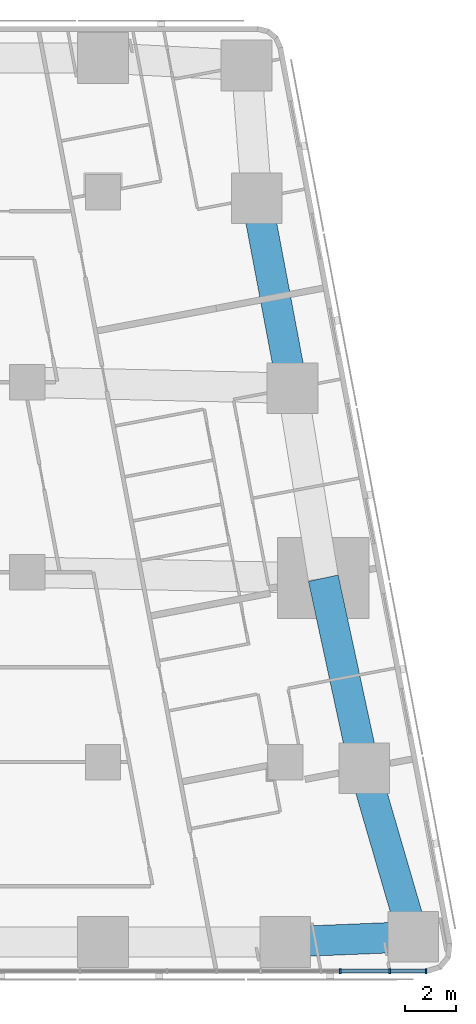
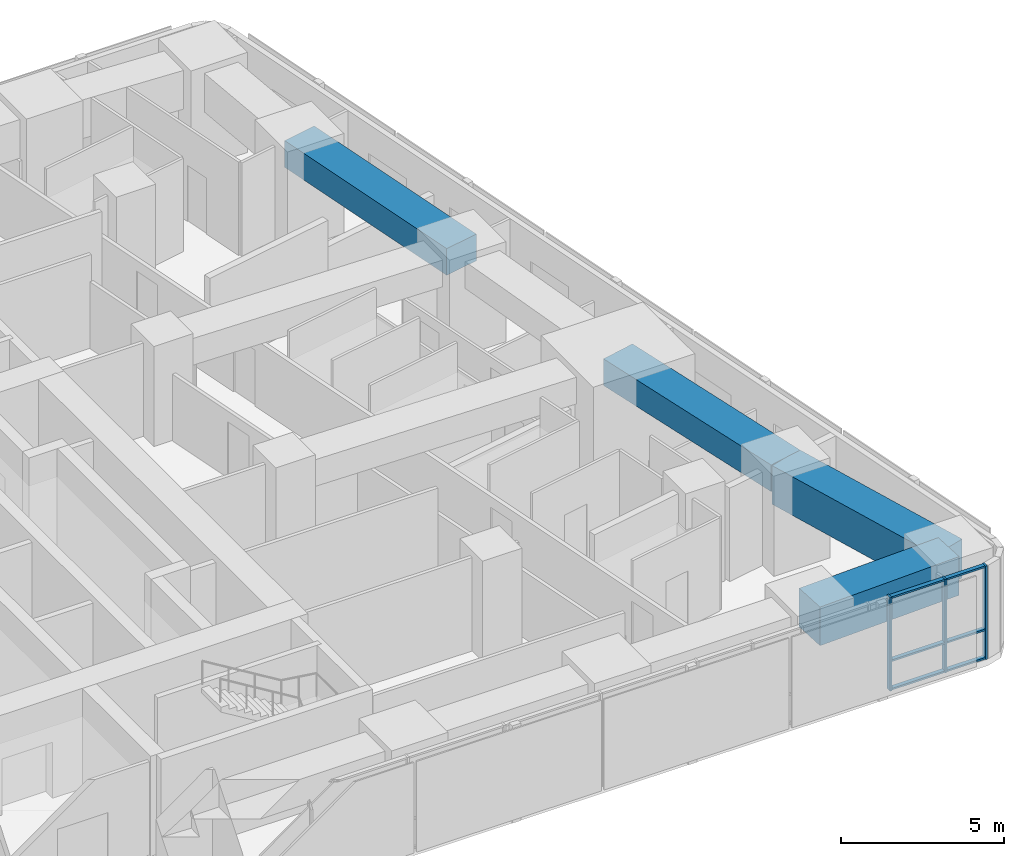
# One storey, part 3 of 11: 9 members, 4 beams, 1 element without a shape of its own.
"""IFC4 building model written with IfcOpenShell, lengths in metres."""

from ifc_helpers import new_model, si_unit, direction, frame, origin, origin_2d, place, context, subcontext, project, spatial, rectangle, extrude, material, material_profile, profile_set, type_object, element, aggregate, save


model = new_model("IFC4")

# Units and contexts
model_context = context("Model", 3, precision=1e-05, world=origin(), true_north=direction((0.0, 1.0)))
body_context = subcontext(model_context, "Body", "Model", "MODEL_VIEW")
ifc_project = project(units=[si_unit("LENGTHUNIT", "METRE"), si_unit("AREAUNIT", "SQUARE_METRE"), si_unit("VOLUMEUNIT", "CUBIC_METRE"), si_unit("PLANEANGLEUNIT", "RADIAN"), si_unit("MASSUNIT", "GRAM", prefix="KILO")], contexts=[model_context])

# Site, building, storey
site_placement = place(None, origin())
site = spatial("IfcSite", under=ifc_project, at=site_placement, CompositionType="ELEMENT")
building_placement = place(site_placement, origin())
building = spatial("IfcBuilding", under=site, at=building_placement, Name="Sheger Commons Tower", CompositionType="ELEMENT")
storey_placement = place(building_placement, frame((0.0, 0.0, 255.35009765625)))
storey = spatial("IfcBuildingStorey", under=building, at=storey_placement, Name="L65", CompositionType="ELEMENT", Elevation=255.35009765625)

# Curtain wall, members
ifc_material_1 = material(Name="Black aluminium curtain wall, dark tinted glazing", Category="aluminium")
curtain_wall_type = type_object("IfcCurtainWallType", Name="CURTAIN WALL CW5 SOUTH GALLERY", PredefinedType="USERDEFINED", material=ifc_material_1)
curtain_wall_placement = place(storey_placement, origin())
curtain_wall = element("IfcCurtainWall", 1, at=curtain_wall_placement, inside=storey, type_object=curtain_wall_type, Name="Curtain Wall Cw5 South Gallery S1 L65", ObjectType="UNITISED CURTAIN WALL", PredefinedType="USERDEFINED")
ifc_material_2 = material(Name="Black anodised aluminium", Category="aluminium")
ifc_material_profile_1 = material_profile(ifc_material_2, rectangle(XDim=0.199951171875, YDim=0.06494140625, at=origin_2d()), Name="AL 65x200")
ifc_profile_set_1 = profile_set([ifc_material_profile_1], Name="Black anodised aluminium")
member_type_1 = type_object("IfcMemberType", Name="MULLION AL 65x200", PredefinedType="MULLION", material=ifc_profile_set_1)
member_1_placement = place(storey_placement, frame((45.364990234375, 6.75, 0.0), z_axis=(0.0, 0.0, 1.0), x_axis=(0.0, 1.0, 0.0)))
member_1 = element("IfcMember", 2, at=member_1_placement, type_object=member_type_1, Name="CW5 mullion 12", PredefinedType="MULLION", context=body_context, shape_type="SweptSolid", body=[
    extrude(rectangle(XDim=0.199951171875, YDim=0.06494140625, at=origin_2d()), origin(), (0.0, 0.0, 1.0), 3.5),
])
member_2_placement = place(storey_placement, frame((47.319091796875, 6.75, 0.0), z_axis=(0.0, 0.0, 1.0), x_axis=(0.0, 1.0, 0.0)))
member_2 = element("IfcMember", 3, at=member_2_placement, type_object=member_type_1, Name="CW5 mullion 13", PredefinedType="MULLION", context=body_context, shape_type="SweptSolid", body=[
    extrude(rectangle(XDim=0.199951171875, YDim=0.06494140625, at=origin_2d()), origin(), (0.0, 0.0, 1.0), 3.5),
])
member_3_placement = place(storey_placement, frame((48.75439453125, 6.75, 0.0), z_axis=(0.0, 0.0, 1.0), x_axis=(0.0, 1.0, 0.0)))
member_3 = element("IfcMember", 4, at=member_3_placement, type_object=member_type_1, Name="CW5 mullion 14", PredefinedType="MULLION", context=body_context, shape_type="SweptSolid", body=[
    extrude(rectangle(XDim=0.199951171875, YDim=0.06494140625, at=origin_2d()), origin(), (0.0, 0.0, 1.0), 3.5),
])

# Beams
ifc_material_3 = material(Name="Concrete C50/60", Category="concrete")
ifc_material_profile_2 = material_profile(ifc_material_3, rectangle(XDim=1.199951171875, YDim=1.0, at=origin_2d()), Name="RC 1200x1000")
ifc_profile_set_2 = profile_set([ifc_material_profile_2], Name="Concrete C50/60")
beam_type_1 = type_object("IfcBeamType", Name="SPANDREL RC 1200x1000", PredefinedType="SPANDREL", material=ifc_profile_set_2)
beam_1_placement = place(storey_placement, frame((46.31396484375, 14.762939453125, 3.0), z_axis=(-0.210750229323, 0.977539943348, 0.0), x_axis=(-0.977539943348, -0.210750229323, 0.0)))
element("IfcBeam", 5, at=beam_1_placement, inside=storey, type_object=beam_type_1, Name="Beam E/C-E/D under L66", PredefinedType="SPANDREL", context=body_context, shape_type="SweptSolid", body=[
    extrude(rectangle(XDim=1.199951171875, YDim=1.0, at=origin_2d()), origin(), (0.0, 0.0, 1.0), 7.67236328125),
])
beam_2_placement = place(storey_placement, frame((43.47998046875, 29.762939453125, 3.0), z_axis=(-0.18552441405, 0.982639655108, 0.0), x_axis=(-0.982639655108, -0.18552441405, 0.0)))
element("IfcBeam", 6, at=beam_2_placement, inside=storey, type_object=beam_type_1, Name="Beam E/E-E/F under L66", PredefinedType="SPANDREL", context=body_context, shape_type="SweptSolid", body=[
    extrude(rectangle(XDim=1.199951171875, YDim=1.0, at=origin_2d()), origin(), (0.0, 0.0, 1.0), 7.632568359375),
])
ifc_material_4 = material(Name="Concrete C50/60", Category="concrete")
ifc_material_profile_3 = material_profile(ifc_material_4, rectangle(XDim=1.199951171875, YDim=1.449951171875, at=origin_2d()), Name="RC 1200x1450")
ifc_profile_set_3 = profile_set([ifc_material_profile_3], Name="Concrete C50/60")
beam_type_2 = type_object("IfcBeamType", Name="SPANDREL RC 1200x1450", PredefinedType="SPANDREL", material=ifc_profile_set_3)
beam_3_placement = place(storey_placement, frame((43.199951171875, 7.89990234375, 2.77490234375), z_axis=(0.999161374218, 0.040945674641, 0.0), x_axis=(-0.040945674641, 0.999161374218, 0.0)))
element("IfcBeam", 7, at=beam_3_placement, inside=storey, type_object=beam_type_2, Name="Beam 7/B-E/B under L66", PredefinedType="SPANDREL", context=body_context, shape_type="SweptSolid", body=[
    extrude(rectangle(XDim=1.199951171875, YDim=1.449951171875, at=origin_2d()), origin(), (0.0, 0.0, 1.0), 5.05615234375),
])
beam_4_placement = place(storey_placement, frame((48.251953125, 8.10693359375, 2.77490234375), z_axis=(-0.279555048455, 0.960129665662, 0.0), x_axis=(-0.960129665662, -0.279555048455, 0.0)))
element("IfcBeam", 8, at=beam_4_placement, inside=storey, type_object=beam_type_2, Name="Beam E/B-E/C under L66", PredefinedType="SPANDREL", context=body_context, shape_type="SweptSolid", body=[
    extrude(rectangle(XDim=1.199951171875, YDim=1.449951171875, at=origin_2d()), origin(), (0.0, 0.0, 1.0), 6.932373046875),
])

# Member
ifc_material_5 = material(Name="Black anodised aluminium", Category="aluminium")
ifc_material_profile_4 = material_profile(ifc_material_5, rectangle(XDim=0.14990234375, YDim=0.06494140625, at=origin_2d()), Name="AL 65x150")
ifc_profile_set_4 = profile_set([ifc_material_profile_4], Name="Black anodised aluminium")
member_type_2 = type_object("IfcMemberType", Name="TRANSOM AL 65x150", PredefinedType="USERDEFINED", material=ifc_profile_set_4)
member_4_placement = place(storey_placement, frame((45.3974609375, 6.75, 0.032470703125), z_axis=(1.0, 0.0, 0.0), x_axis=(0.0, 1.0, 0.0)))
member_4 = element("IfcMember", 9, at=member_4_placement, type_object=member_type_2, Name="CW5 transom 12.1", ObjectType="TRANSOM", PredefinedType="USERDEFINED", context=body_context, shape_type="SweptSolid", body=[
    extrude(rectangle(XDim=0.14990234375, YDim=0.06494140625, at=origin_2d()), origin(), (0.0, 0.0, 1.0), 1.88916015625),
])

member_5_placement = place(storey_placement, frame((45.3974609375, 6.75, 1.099853515625), z_axis=(1.0, 0.0, 0.0), x_axis=(0.0, 1.0, 0.0)))
member_5 = element("IfcMember", 10, at=member_5_placement, type_object=member_type_2, Name="CW5 transom 12.2", ObjectType="TRANSOM", PredefinedType="USERDEFINED", context=body_context, shape_type="SweptSolid", body=[
    extrude(rectangle(XDim=0.14990234375, YDim=0.06494140625, at=origin_2d()), origin(), (0.0, 0.0, 1.0), 1.88916015625),
])

member_6_placement = place(storey_placement, frame((45.3974609375, 6.75, 3.46728515625), z_axis=(1.0, 0.0, 0.0), x_axis=(0.0, 1.0, 0.0)))
member_6 = element("IfcMember", 11, at=member_6_placement, type_object=member_type_2, Name="CW5 transom 12.3", ObjectType="TRANSOM", PredefinedType="USERDEFINED", context=body_context, shape_type="SweptSolid", body=[
    extrude(rectangle(XDim=0.14990234375, YDim=0.06494140625, at=origin_2d()), origin(), (0.0, 0.0, 1.0), 1.88916015625),
])

member_7_placement = place(storey_placement, frame((47.3515625, 6.75, 0.032470703125), z_axis=(1.0, 0.0, 0.0), x_axis=(0.0, 1.0, 0.0)))
member_7 = element("IfcMember", 12, at=member_7_placement, type_object=member_type_2, Name="CW5 transom 13.1", ObjectType="TRANSOM", PredefinedType="USERDEFINED", context=body_context, shape_type="SweptSolid", body=[
    extrude(rectangle(XDim=0.14990234375, YDim=0.06494140625, at=origin_2d()), origin(), (0.0, 0.0, 1.0), 1.370361328125),
])

member_8_placement = place(storey_placement, frame((47.3515625, 6.75, 1.099853515625), z_axis=(1.0, 0.0, 0.0), x_axis=(0.0, 1.0, 0.0)))
member_8 = element("IfcMember", 13, at=member_8_placement, type_object=member_type_2, Name="CW5 transom 13.2", ObjectType="TRANSOM", PredefinedType="USERDEFINED", context=body_context, shape_type="SweptSolid", body=[
    extrude(rectangle(XDim=0.14990234375, YDim=0.06494140625, at=origin_2d()), origin(), (0.0, 0.0, 1.0), 1.370361328125),
])

member_9_placement = place(storey_placement, frame((47.3515625, 6.75, 3.46728515625), z_axis=(1.0, 0.0, 0.0), x_axis=(0.0, 1.0, 0.0)))
member_9 = element("IfcMember", 14, at=member_9_placement, type_object=member_type_2, Name="CW5 transom 13.3", ObjectType="TRANSOM", PredefinedType="USERDEFINED", context=body_context, shape_type="SweptSolid", body=[
    extrude(rectangle(XDim=0.14990234375, YDim=0.06494140625, at=origin_2d()), origin(), (0.0, 0.0, 1.0), 1.370361328125),
])

aggregate(curtain_wall, [member_1, member_2, member_3, member_4, member_5, member_6, member_7, member_8, member_9])

save(model, "model.ifc")
